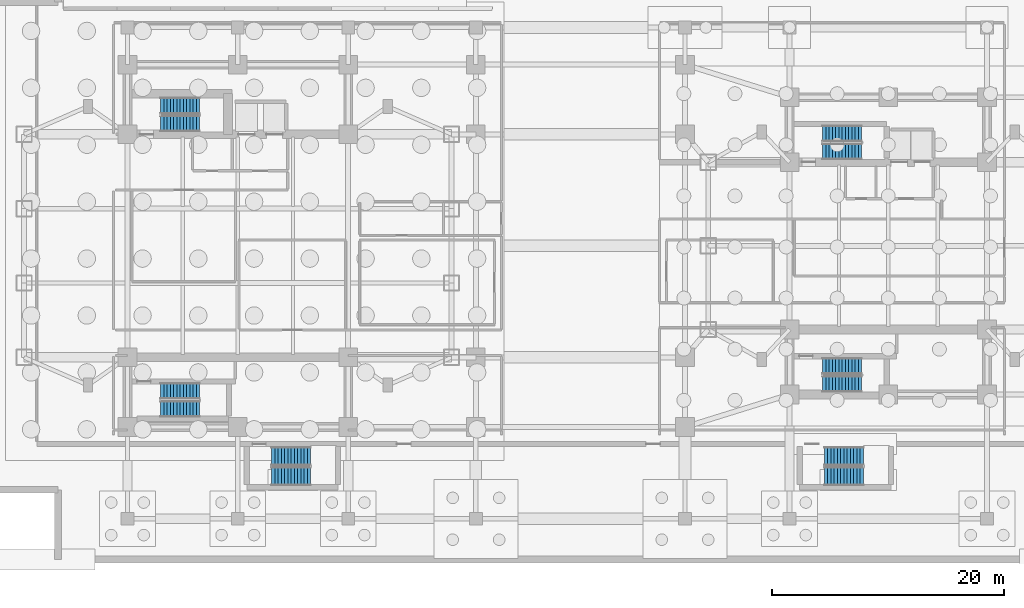
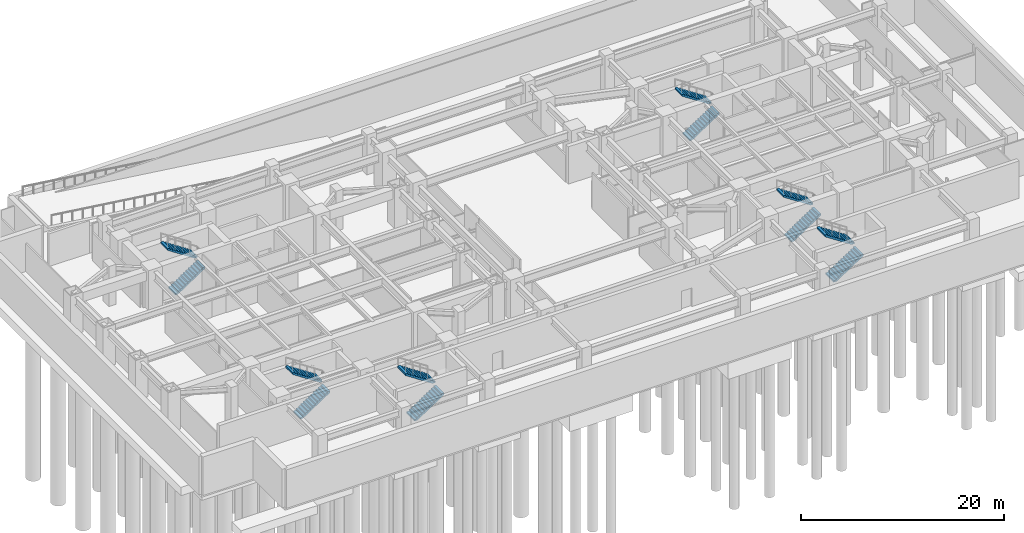
# One storey, part 11 of 16: 12 stair flights, 6 elements without a shape of their own.
"""IFC4 building model written with IfcOpenShell, lengths in metres."""

from ifc_helpers import new_model, si_unit, direction, frame, origin, place, context, subcontext, project, spatial, polyline, outline, extrude, material, type_object, element, aggregate, save


model = new_model("IFC4")

# Units and contexts
model_context = context("Model", 3, precision=1e-05, world=origin(), true_north=direction((0.0, 1.0)))
body_context = subcontext(model_context, "Body", "Model", "MODEL_VIEW")
ifc_project = project(units=[si_unit("LENGTHUNIT", "METRE"), si_unit("AREAUNIT", "SQUARE_METRE"), si_unit("VOLUMEUNIT", "CUBIC_METRE"), si_unit("PLANEANGLEUNIT", "RADIAN"), si_unit("MASSUNIT", "GRAM", prefix="KILO")], contexts=[model_context])

# Site, building, storey
site_placement = place(None, origin())
site = spatial("IfcSite", under=ifc_project, at=site_placement, CompositionType="ELEMENT")
building_placement = place(site_placement, origin())
building = spatial("IfcBuilding", under=site, at=building_placement, Name="Mirazonda Arch Towers", CompositionType="ELEMENT")
storey_placement = place(building_placement, frame((0.0, 0.0, -4.800048828125)))
storey = spatial("IfcBuildingStorey", under=building, at=storey_placement, Name="B1", CompositionType="ELEMENT", Elevation=-4.800048828125)

# Stair, stair flights
ifc_material = material(Name="Concrete C40/50", Category="concrete")
stair_type_1 = type_object("IfcStairType", Name="STAIR-CORE-1400", PredefinedType="HALF_TURN_STAIR", material=ifc_material)
stair_1_placement = place(storey_placement, origin())
stair_1 = element("IfcStair", 1, at=stair_1_placement, inside=storey, type_object=stair_type_1, Name="B1 Protected Exit Stair ST-T1N", PredefinedType="HALF_TURN_STAIR")
stair_flight_type_1 = type_object("IfcStairFlightType", Name="FLIGHT-1400", PredefinedType="STRAIGHT", material=ifc_material)
stair_flight_1_placement = place(storey_placement, frame((13.85009765625, 38.52001953125, 0.0), z_axis=(0.0, 0.0, 1.0), x_axis=(1.0, 0.0, 0.0)))
stair_flight_1 = element("IfcStairFlight", 2, at=stair_flight_1_placement, type_object=stair_flight_type_1, Name="ST-T1N flight 1", NumberOfRisers=13, NumberOfTreads=12, PredefinedType="STRAIGHT", RiserHeight=0.184615385, TreadLength=0.28, context=body_context, shape_type="SweptSolid", body=[
    extrude(outline(polyline([(0.0, 0.0), (0.0, 0.1845703125), (0.280029296875, 0.1845703125), (0.280029296875, 0.369140625), (0.56005859375, 0.369140625), (0.56005859375, 0.553955078125), (0.840087890625, 0.553955078125), (0.840087890625, 0.738525390625), (1.1201171875, 0.738525390625), (1.1201171875, 0.923095703125), (1.39990234375, 0.923095703125), (1.39990234375, 1.107666015625), (1.679931640625, 1.107666015625), (1.679931640625, 1.292236328125), (1.9599609375, 1.292236328125), (1.9599609375, 1.476806640625), (2.239990234375, 1.476806640625), (2.239990234375, 1.66162109375), (2.52001953125, 1.66162109375), (2.52001953125, 1.84619140625), (2.800048828125, 1.84619140625), (2.800048828125, 2.03076171875), (3.080078125, 2.03076171875), (3.080078125, 2.21533203125), (3.360107421875, 2.21533203125), (3.360107421875, 2.39990234375), (3.360107421875, 2.02392578125), (0.29052734375, 0.0), (0.0, 0.0)])), frame((0.0, 0.699951171875, 0.0), z_axis=(0.0, -1.0, 0.0), x_axis=(1.0, 0.0, 0.0)), (0.0, 0.0, 1.0), 1.39990234375),
])
stair_flight_2_placement = place(storey_placement, frame((17.2099609375, 40.06005859375, 2.400146484375), z_axis=(0.0, 0.0, 1.0), x_axis=(-1.0, 0.0, 0.0)))
stair_flight_2 = element("IfcStairFlight", 3, at=stair_flight_2_placement, type_object=stair_flight_type_1, Name="ST-T1N flight 2", NumberOfRisers=13, NumberOfTreads=12, PredefinedType="STRAIGHT", RiserHeight=0.184615385, TreadLength=0.28, context=body_context, shape_type="SweptSolid", body=[
    extrude(outline(polyline([(0.0, 0.0), (0.0, 0.1845703125), (0.280029296875, 0.1845703125), (0.280029296875, 0.369140625), (0.56005859375, 0.369140625), (0.56005859375, 0.553955078125), (0.840087890625, 0.553955078125), (0.840087890625, 0.738525390625), (1.1201171875, 0.738525390625), (1.1201171875, 0.923095703125), (1.39990234375, 0.923095703125), (1.39990234375, 1.107666015625), (1.679931640625, 1.107666015625), (1.679931640625, 1.292236328125), (1.9599609375, 1.292236328125), (1.9599609375, 1.476806640625), (2.239990234375, 1.476806640625), (2.239990234375, 1.66162109375), (2.52001953125, 1.66162109375), (2.52001953125, 1.84619140625), (2.800048828125, 1.84619140625), (2.800048828125, 2.03076171875), (3.080078125, 2.03076171875), (3.080078125, 2.21533203125), (3.360107421875, 2.21533203125), (3.360107421875, 2.39990234375), (3.360107421875, 2.02392578125), (0.29052734375, 0.0), (0.0, 0.0)])), frame((0.0, 0.699951171875, 0.0), z_axis=(0.0, -1.0, 0.0), x_axis=(1.0, 0.0, 0.0)), (0.0, 0.0, 1.0), 1.39990234375),
])
aggregate(stair_1, [stair_flight_1, stair_flight_2])

stair_2_placement = place(storey_placement, origin())
stair_2 = element("IfcStair", 4, at=stair_2_placement, inside=storey, type_object=stair_type_1, Name="B1 Protected Exit Stair ST-T1S", PredefinedType="HALF_TURN_STAIR")
stair_flight_3_placement = place(storey_placement, frame((13.85009765625, 13.949951171875, 0.0), z_axis=(0.0, 0.0, 1.0), x_axis=(1.0, 0.0, 0.0)))
stair_flight_3 = element("IfcStairFlight", 5, at=stair_flight_3_placement, type_object=stair_flight_type_1, Name="ST-T1S flight 1", NumberOfRisers=13, NumberOfTreads=12, PredefinedType="STRAIGHT", RiserHeight=0.184615385, TreadLength=0.28, context=body_context, shape_type="SweptSolid", body=[
    extrude(outline(polyline([(0.0, 0.0), (0.0, 0.1845703125), (0.280029296875, 0.1845703125), (0.280029296875, 0.369140625), (0.56005859375, 0.369140625), (0.56005859375, 0.553955078125), (0.840087890625, 0.553955078125), (0.840087890625, 0.738525390625), (1.1201171875, 0.738525390625), (1.1201171875, 0.923095703125), (1.39990234375, 0.923095703125), (1.39990234375, 1.107666015625), (1.679931640625, 1.107666015625), (1.679931640625, 1.292236328125), (1.9599609375, 1.292236328125), (1.9599609375, 1.476806640625), (2.239990234375, 1.476806640625), (2.239990234375, 1.66162109375), (2.52001953125, 1.66162109375), (2.52001953125, 1.84619140625), (2.800048828125, 1.84619140625), (2.800048828125, 2.03076171875), (3.080078125, 2.03076171875), (3.080078125, 2.21533203125), (3.360107421875, 2.21533203125), (3.360107421875, 2.39990234375), (3.360107421875, 2.02392578125), (0.29052734375, 0.0), (0.0, 0.0)])), frame((0.0, 0.699951171875, 0.0), z_axis=(0.0, -1.0, 0.0), x_axis=(1.0, 0.0, 0.0)), (0.0, 0.0, 1.0), 1.39990234375),
])
stair_flight_4_placement = place(storey_placement, frame((17.2099609375, 15.489990234375, 2.400146484375), z_axis=(0.0, 0.0, 1.0), x_axis=(-1.0, 0.0, 0.0)))
stair_flight_4 = element("IfcStairFlight", 6, at=stair_flight_4_placement, type_object=stair_flight_type_1, Name="ST-T1S flight 2", NumberOfRisers=13, NumberOfTreads=12, PredefinedType="STRAIGHT", RiserHeight=0.184615385, TreadLength=0.28, context=body_context, shape_type="SweptSolid", body=[
    extrude(outline(polyline([(0.0, 0.0), (0.0, 0.1845703125), (0.280029296875, 0.1845703125), (0.280029296875, 0.369140625), (0.56005859375, 0.369140625), (0.56005859375, 0.553955078125), (0.840087890625, 0.553955078125), (0.840087890625, 0.738525390625), (1.1201171875, 0.738525390625), (1.1201171875, 0.923095703125), (1.39990234375, 0.923095703125), (1.39990234375, 1.107666015625), (1.679931640625, 1.107666015625), (1.679931640625, 1.292236328125), (1.9599609375, 1.292236328125), (1.9599609375, 1.476806640625), (2.239990234375, 1.476806640625), (2.239990234375, 1.66162109375), (2.52001953125, 1.66162109375), (2.52001953125, 1.84619140625), (2.800048828125, 1.84619140625), (2.800048828125, 2.03076171875), (3.080078125, 2.03076171875), (3.080078125, 2.21533203125), (3.360107421875, 2.21533203125), (3.360107421875, 2.39990234375), (3.360107421875, 2.02392578125), (0.29052734375, 0.0), (0.0, 0.0)])), frame((0.0, 0.699951171875, 0.0), z_axis=(0.0, -1.0, 0.0), x_axis=(1.0, 0.0, 0.0)), (0.0, 0.0, 1.0), 1.39990234375),
])
aggregate(stair_2, [stair_flight_3, stair_flight_4])

stair_3_placement = place(storey_placement, origin())
stair_3 = element("IfcStair", 7, at=stair_3_placement, inside=storey, type_object=stair_type_1, Name="B1 Protected Exit Stair ST-T2N", PredefinedType="HALF_TURN_STAIR")
stair_flight_5_placement = place(storey_placement, frame((70.85009765625, 36.1201171875, 0.0), z_axis=(0.0, 0.0, 1.0), x_axis=(1.0, 0.0, 0.0)))
stair_flight_5 = element("IfcStairFlight", 8, at=stair_flight_5_placement, type_object=stair_flight_type_1, Name="ST-T2N flight 1", NumberOfRisers=13, NumberOfTreads=12, PredefinedType="STRAIGHT", RiserHeight=0.184615385, TreadLength=0.28, context=body_context, shape_type="SweptSolid", body=[
    extrude(outline(polyline([(0.0, 0.0), (0.0, 0.1845703125), (0.280029296875, 0.1845703125), (0.280029296875, 0.369140625), (0.56005859375, 0.369140625), (0.56005859375, 0.553955078125), (0.840087890625, 0.553955078125), (0.840087890625, 0.738525390625), (1.1201171875, 0.738525390625), (1.1201171875, 0.923095703125), (1.39990234375, 0.923095703125), (1.39990234375, 1.107666015625), (1.679931640625, 1.107666015625), (1.679931640625, 1.292236328125), (1.9599609375, 1.292236328125), (1.9599609375, 1.476806640625), (2.239990234375, 1.476806640625), (2.239990234375, 1.66162109375), (2.52001953125, 1.66162109375), (2.52001953125, 1.84619140625), (2.800048828125, 1.84619140625), (2.800048828125, 2.03076171875), (3.080078125, 2.03076171875), (3.080078125, 2.21533203125), (3.360107421875, 2.21533203125), (3.360107421875, 2.39990234375), (3.360107421875, 2.02392578125), (0.29052734375, 0.0), (0.0, 0.0)])), frame((0.0, 0.699951171875, 0.0), z_axis=(0.0, -1.0, 0.0), x_axis=(1.0, 0.0, 0.0)), (0.0, 0.0, 1.0), 1.39990234375),
])
stair_flight_6_placement = place(storey_placement, frame((74.2099609375, 37.659912109375, 2.400146484375), z_axis=(0.0, 0.0, 1.0), x_axis=(-1.0, 0.0, 0.0)))
stair_flight_6 = element("IfcStairFlight", 9, at=stair_flight_6_placement, type_object=stair_flight_type_1, Name="ST-T2N flight 2", NumberOfRisers=13, NumberOfTreads=12, PredefinedType="STRAIGHT", RiserHeight=0.184615385, TreadLength=0.28, context=body_context, shape_type="SweptSolid", body=[
    extrude(outline(polyline([(0.0, 0.0), (0.0, 0.1845703125), (0.280029296875, 0.1845703125), (0.280029296875, 0.369140625), (0.56005859375, 0.369140625), (0.56005859375, 0.553955078125), (0.840087890625, 0.553955078125), (0.840087890625, 0.738525390625), (1.1201171875, 0.738525390625), (1.1201171875, 0.923095703125), (1.39990234375, 0.923095703125), (1.39990234375, 1.107666015625), (1.679931640625, 1.107666015625), (1.679931640625, 1.292236328125), (1.9599609375, 1.292236328125), (1.9599609375, 1.476806640625), (2.239990234375, 1.476806640625), (2.239990234375, 1.66162109375), (2.52001953125, 1.66162109375), (2.52001953125, 1.84619140625), (2.800048828125, 1.84619140625), (2.800048828125, 2.03076171875), (3.080078125, 2.03076171875), (3.080078125, 2.21533203125), (3.360107421875, 2.21533203125), (3.360107421875, 2.39990234375), (3.360107421875, 2.02392578125), (0.29052734375, 0.0), (0.0, 0.0)])), frame((0.0, 0.699951171875, 0.0), z_axis=(0.0, -1.0, 0.0), x_axis=(1.0, 0.0, 0.0)), (0.0, 0.0, 1.0), 1.39990234375),
])
aggregate(stair_3, [stair_flight_5, stair_flight_6])

stair_4_placement = place(storey_placement, origin())
stair_4 = element("IfcStair", 10, at=stair_4_placement, inside=storey, type_object=stair_type_1, Name="B1 Protected Exit Stair ST-T2S", PredefinedType="HALF_TURN_STAIR")
stair_flight_7_placement = place(storey_placement, frame((70.85009765625, 16.1201171875, 0.0), z_axis=(0.0, 0.0, 1.0), x_axis=(1.0, 0.0, 0.0)))
stair_flight_7 = element("IfcStairFlight", 11, at=stair_flight_7_placement, type_object=stair_flight_type_1, Name="ST-T2S flight 1", NumberOfRisers=13, NumberOfTreads=12, PredefinedType="STRAIGHT", RiserHeight=0.184615385, TreadLength=0.28, context=body_context, shape_type="SweptSolid", body=[
    extrude(outline(polyline([(0.0, 0.0), (0.0, 0.1845703125), (0.280029296875, 0.1845703125), (0.280029296875, 0.369140625), (0.56005859375, 0.369140625), (0.56005859375, 0.553955078125), (0.840087890625, 0.553955078125), (0.840087890625, 0.738525390625), (1.1201171875, 0.738525390625), (1.1201171875, 0.923095703125), (1.39990234375, 0.923095703125), (1.39990234375, 1.107666015625), (1.679931640625, 1.107666015625), (1.679931640625, 1.292236328125), (1.9599609375, 1.292236328125), (1.9599609375, 1.476806640625), (2.239990234375, 1.476806640625), (2.239990234375, 1.66162109375), (2.52001953125, 1.66162109375), (2.52001953125, 1.84619140625), (2.800048828125, 1.84619140625), (2.800048828125, 2.03076171875), (3.080078125, 2.03076171875), (3.080078125, 2.21533203125), (3.360107421875, 2.21533203125), (3.360107421875, 2.39990234375), (3.360107421875, 2.02392578125), (0.29052734375, 0.0), (0.0, 0.0)])), frame((0.0, 0.699951171875, 0.0), z_axis=(0.0, -1.0, 0.0), x_axis=(1.0, 0.0, 0.0)), (0.0, 0.0, 1.0), 1.39990234375),
])
stair_flight_8_placement = place(storey_placement, frame((74.2099609375, 17.659912109375, 2.400146484375), z_axis=(0.0, 0.0, 1.0), x_axis=(-1.0, 0.0, 0.0)))
stair_flight_8 = element("IfcStairFlight", 12, at=stair_flight_8_placement, type_object=stair_flight_type_1, Name="ST-T2S flight 2", NumberOfRisers=13, NumberOfTreads=12, PredefinedType="STRAIGHT", RiserHeight=0.184615385, TreadLength=0.28, context=body_context, shape_type="SweptSolid", body=[
    extrude(outline(polyline([(0.0, 0.0), (0.0, 0.1845703125), (0.280029296875, 0.1845703125), (0.280029296875, 0.369140625), (0.56005859375, 0.369140625), (0.56005859375, 0.553955078125), (0.840087890625, 0.553955078125), (0.840087890625, 0.738525390625), (1.1201171875, 0.738525390625), (1.1201171875, 0.923095703125), (1.39990234375, 0.923095703125), (1.39990234375, 1.107666015625), (1.679931640625, 1.107666015625), (1.679931640625, 1.292236328125), (1.9599609375, 1.292236328125), (1.9599609375, 1.476806640625), (2.239990234375, 1.476806640625), (2.239990234375, 1.66162109375), (2.52001953125, 1.66162109375), (2.52001953125, 1.84619140625), (2.800048828125, 1.84619140625), (2.800048828125, 2.03076171875), (3.080078125, 2.03076171875), (3.080078125, 2.21533203125), (3.360107421875, 2.21533203125), (3.360107421875, 2.39990234375), (3.360107421875, 2.02392578125), (0.29052734375, 0.0), (0.0, 0.0)])), frame((0.0, 0.699951171875, 0.0), z_axis=(0.0, -1.0, 0.0), x_axis=(1.0, 0.0, 0.0)), (0.0, 0.0, 1.0), 1.39990234375),
])
aggregate(stair_4, [stair_flight_7, stair_flight_8])

stair_type_2 = type_object("IfcStairType", Name="STAIR-POD-1600", PredefinedType="HALF_TURN_STAIR", material=ifc_material)
stair_5_placement = place(storey_placement, origin())
stair_5 = element("IfcStair", 13, at=stair_5_placement, inside=storey, type_object=stair_type_2, Name="B1 Protected Exit Stair ST-POD1", PredefinedType="HALF_TURN_STAIR")
stair_flight_type_2 = type_object("IfcStairFlightType", Name="FLIGHT-1600", PredefinedType="STRAIGHT", material=ifc_material)
stair_flight_9_placement = place(storey_placement, frame((23.39990234375, 8.14990234375, 0.0), z_axis=(0.0, 0.0, 1.0), x_axis=(1.0, 0.0, 0.0)))
stair_flight_9 = element("IfcStairFlight", 14, at=stair_flight_9_placement, type_object=stair_flight_type_2, Name="ST-POD1 flight 1", NumberOfRisers=13, NumberOfTreads=12, PredefinedType="STRAIGHT", RiserHeight=0.184615385, TreadLength=0.28, context=body_context, shape_type="SweptSolid", body=[
    extrude(outline(polyline([(0.0, 0.0), (0.0, 0.1845703125), (0.280029296875, 0.1845703125), (0.280029296875, 0.369140625), (0.56005859375, 0.369140625), (0.56005859375, 0.553955078125), (0.840087890625, 0.553955078125), (0.840087890625, 0.738525390625), (1.1201171875, 0.738525390625), (1.1201171875, 0.923095703125), (1.39990234375, 0.923095703125), (1.39990234375, 1.107666015625), (1.679931640625, 1.107666015625), (1.679931640625, 1.292236328125), (1.9599609375, 1.292236328125), (1.9599609375, 1.476806640625), (2.239990234375, 1.476806640625), (2.239990234375, 1.66162109375), (2.52001953125, 1.66162109375), (2.52001953125, 1.84619140625), (2.800048828125, 1.84619140625), (2.800048828125, 2.03076171875), (3.080078125, 2.03076171875), (3.080078125, 2.21533203125), (3.360107421875, 2.21533203125), (3.360107421875, 2.39990234375), (3.360107421875, 1.999755859375), (0.326904296875, 0.0), (0.0, 0.0)])), frame((0.0, 0.800048828125, 0.0), z_axis=(0.0, -1.0, 0.0), x_axis=(1.0, 0.0, 0.0)), (0.0, 0.0, 1.0), 1.60009765625),
])
stair_flight_10_placement = place(storey_placement, frame((26.760009765625, 9.889892578125, 2.400146484375), z_axis=(0.0, 0.0, 1.0), x_axis=(-1.0, 0.0, 0.0)))
stair_flight_10 = element("IfcStairFlight", 15, at=stair_flight_10_placement, type_object=stair_flight_type_2, Name="ST-POD1 flight 2", NumberOfRisers=13, NumberOfTreads=12, PredefinedType="STRAIGHT", RiserHeight=0.184615385, TreadLength=0.28, context=body_context, shape_type="SweptSolid", body=[
    extrude(outline(polyline([(0.0, 0.0), (0.0, 0.1845703125), (0.280029296875, 0.1845703125), (0.280029296875, 0.369140625), (0.56005859375, 0.369140625), (0.56005859375, 0.553955078125), (0.840087890625, 0.553955078125), (0.840087890625, 0.738525390625), (1.1201171875, 0.738525390625), (1.1201171875, 0.923095703125), (1.39990234375, 0.923095703125), (1.39990234375, 1.107666015625), (1.679931640625, 1.107666015625), (1.679931640625, 1.292236328125), (1.9599609375, 1.292236328125), (1.9599609375, 1.476806640625), (2.239990234375, 1.476806640625), (2.239990234375, 1.66162109375), (2.52001953125, 1.66162109375), (2.52001953125, 1.84619140625), (2.800048828125, 1.84619140625), (2.800048828125, 2.03076171875), (3.080078125, 2.03076171875), (3.080078125, 2.21533203125), (3.360107421875, 2.21533203125), (3.360107421875, 2.39990234375), (3.360107421875, 1.999755859375), (0.326904296875, 0.0), (0.0, 0.0)])), frame((0.0, 0.800048828125, 0.0), z_axis=(0.0, -1.0, 0.0), x_axis=(1.0, 0.0, 0.0)), (0.0, 0.0, 1.0), 1.60009765625),
])
aggregate(stair_5, [stair_flight_9, stair_flight_10])

stair_6_placement = place(storey_placement, origin())
stair_6 = element("IfcStair", 16, at=stair_6_placement, inside=storey, type_object=stair_type_2, Name="B1 Protected Exit Stair ST-POD2", PredefinedType="HALF_TURN_STAIR")
stair_flight_11_placement = place(storey_placement, frame((71.0, 8.14990234375, 0.0), z_axis=(0.0, 0.0, 1.0), x_axis=(1.0, 0.0, 0.0)))
stair_flight_11 = element("IfcStairFlight", 17, at=stair_flight_11_placement, type_object=stair_flight_type_2, Name="ST-POD2 flight 1", NumberOfRisers=13, NumberOfTreads=12, PredefinedType="STRAIGHT", RiserHeight=0.184615385, TreadLength=0.28, context=body_context, shape_type="SweptSolid", body=[
    extrude(outline(polyline([(0.0, 0.0), (0.0, 0.1845703125), (0.280029296875, 0.1845703125), (0.280029296875, 0.369140625), (0.56005859375, 0.369140625), (0.56005859375, 0.553955078125), (0.840087890625, 0.553955078125), (0.840087890625, 0.738525390625), (1.1201171875, 0.738525390625), (1.1201171875, 0.923095703125), (1.39990234375, 0.923095703125), (1.39990234375, 1.107666015625), (1.679931640625, 1.107666015625), (1.679931640625, 1.292236328125), (1.9599609375, 1.292236328125), (1.9599609375, 1.476806640625), (2.239990234375, 1.476806640625), (2.239990234375, 1.66162109375), (2.52001953125, 1.66162109375), (2.52001953125, 1.84619140625), (2.800048828125, 1.84619140625), (2.800048828125, 2.03076171875), (3.080078125, 2.03076171875), (3.080078125, 2.21533203125), (3.360107421875, 2.21533203125), (3.360107421875, 2.39990234375), (3.360107421875, 1.999755859375), (0.326904296875, 0.0), (0.0, 0.0)])), frame((0.0, 0.800048828125, 0.0), z_axis=(0.0, -1.0, 0.0), x_axis=(1.0, 0.0, 0.0)), (0.0, 0.0, 1.0), 1.60009765625),
])
stair_flight_12_placement = place(storey_placement, frame((74.360107421875, 9.889892578125, 2.400146484375), z_axis=(0.0, 0.0, 1.0), x_axis=(-1.0, 0.0, 0.0)))
stair_flight_12 = element("IfcStairFlight", 18, at=stair_flight_12_placement, type_object=stair_flight_type_2, Name="ST-POD2 flight 2", NumberOfRisers=13, NumberOfTreads=12, PredefinedType="STRAIGHT", RiserHeight=0.184615385, TreadLength=0.28, context=body_context, shape_type="SweptSolid", body=[
    extrude(outline(polyline([(0.0, 0.0), (0.0, 0.1845703125), (0.280029296875, 0.1845703125), (0.280029296875, 0.369140625), (0.56005859375, 0.369140625), (0.56005859375, 0.553955078125), (0.840087890625, 0.553955078125), (0.840087890625, 0.738525390625), (1.1201171875, 0.738525390625), (1.1201171875, 0.923095703125), (1.39990234375, 0.923095703125), (1.39990234375, 1.107666015625), (1.679931640625, 1.107666015625), (1.679931640625, 1.292236328125), (1.9599609375, 1.292236328125), (1.9599609375, 1.476806640625), (2.239990234375, 1.476806640625), (2.239990234375, 1.66162109375), (2.52001953125, 1.66162109375), (2.52001953125, 1.84619140625), (2.800048828125, 1.84619140625), (2.800048828125, 2.03076171875), (3.080078125, 2.03076171875), (3.080078125, 2.21533203125), (3.360107421875, 2.21533203125), (3.360107421875, 2.39990234375), (3.360107421875, 1.999755859375), (0.326904296875, 0.0), (0.0, 0.0)])), frame((0.0, 0.800048828125, 0.0), z_axis=(0.0, -1.0, 0.0), x_axis=(1.0, 0.0, 0.0)), (0.0, 0.0, 1.0), 1.60009765625),
])
aggregate(stair_6, [stair_flight_11, stair_flight_12])

save(model, "model.ifc")
